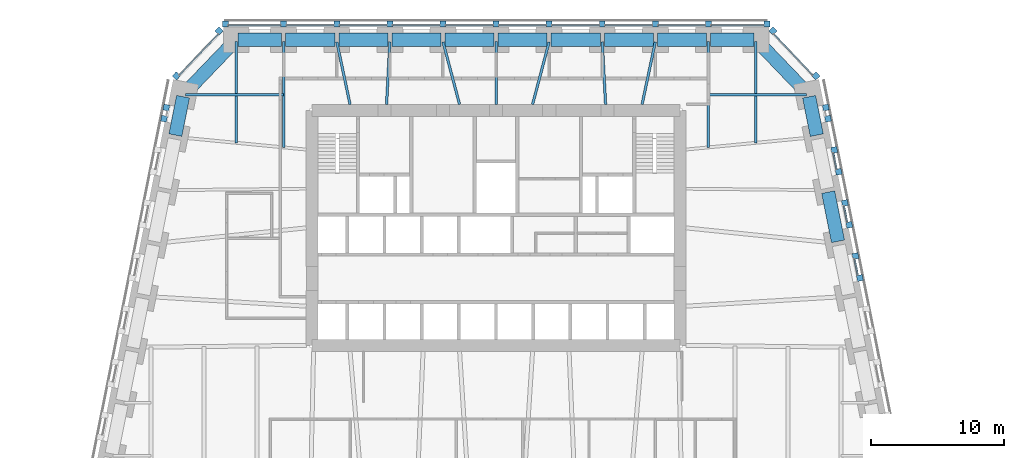
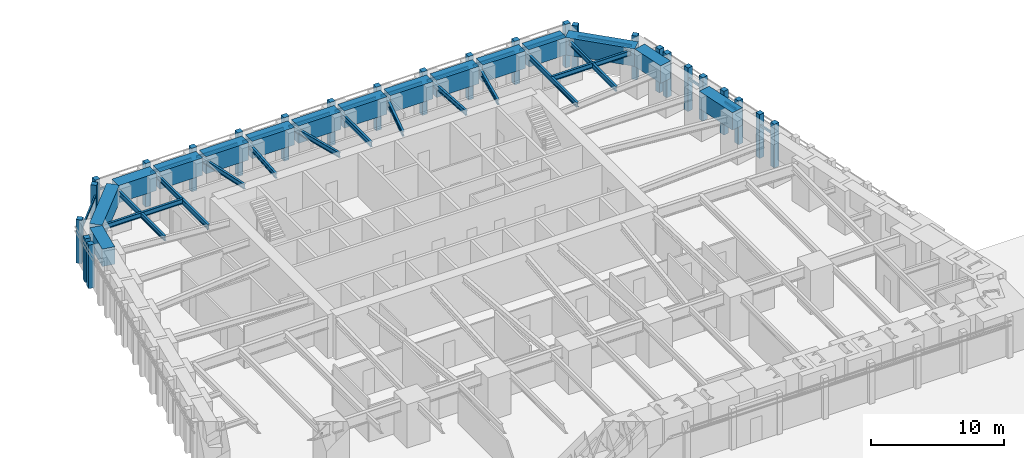
# One storey, part 4 of 18: 40 members, 28 beams, 8 elements without a shape of their own.
"""IFC4 building model written with IfcOpenShell, lengths in metres."""

from ifc_helpers import new_model, si_unit, direction, frame, origin, origin_2d, place, context, subcontext, project, spatial, rectangle, i_section, extrude, material, material_profile, profile_set, type_object, element, aggregate, save


model = new_model("IFC4")

# Units and contexts
model_context = context("Model", 3, precision=1e-05, world=origin(), true_north=direction((0.0, 1.0)))
body_context = subcontext(model_context, "Body", "Model", "MODEL_VIEW")
ifc_project = project(units=[si_unit("LENGTHUNIT", "METRE"), si_unit("AREAUNIT", "SQUARE_METRE"), si_unit("VOLUMEUNIT", "CUBIC_METRE"), si_unit("PLANEANGLEUNIT", "RADIAN"), si_unit("MASSUNIT", "GRAM", prefix="KILO")], contexts=[model_context])

# Site, building, storey
site_placement = place(None, origin())
site = spatial("IfcSite", under=ifc_project, at=site_placement, CompositionType="ELEMENT")
building_placement = place(site_placement, origin())
building = spatial("IfcBuilding", under=site, at=building_placement, Name="Isbrekke Arena Tower", CompositionType="ELEMENT")
storey_placement = place(building_placement, frame((0.0, 0.0, 28.0)))
storey = spatial("IfcBuildingStorey", under=building, at=storey_placement, Name="L04", CompositionType="ELEMENT", Elevation=28.0)

# Beams
ifc_material_1 = material(Name="Steel S355", Category="steel")
ifc_material_profile_1 = material_profile(ifc_material_1, i_section(OverallWidth=0.18994140625, OverallDepth=0.449951171875, WebThickness=0.009521484375, FlangeThickness=0.0146484375, FilletRadius=0.02099609375, at=origin_2d()), Name="IPE 450")
ifc_profile_set_1 = profile_set([ifc_material_profile_1], Name="Steel S355")
beam_type_1 = type_object("IfcBeamType", Name="B2 IPE 450", PredefinedType="BEAM", material=ifc_profile_set_1)
for number, where, z_axis, x_axis, name in (
    (1, (23.40283203125, 25.029296875, 3.625), (-1.0, 0.0, 0.0), (0.0, -1.0, 0.0), "B2 beam E-E11 L04"),
    (2, (-23.40283203125, 25.029296875, 3.625), (1.0, 0.0, 0.0), (0.0, 1.0, 0.0), "B2 beam E-W01 L04"),
):
    element("IfcBeam", number, at=place(storey_placement, frame(where, z_axis=z_axis, x_axis=x_axis)), inside=storey, type_object=beam_type_1, Name=name, PredefinedType="BEAM", context=body_context, shape_type="SweptSolid", body=[
        extrude(i_section(OverallWidth=0.18994140625, OverallDepth=0.449951171875, WebThickness=0.009521484375, FlangeThickness=0.0146484375, FilletRadius=0.02099609375, at=origin_2d()), origin(), (0.0, 0.0, 1.0), 7.40283203125),
    ])
ifc_material_2 = material(Name="Steel S355", Category="steel")
ifc_material_profile_2 = material_profile(ifc_material_2, i_section(OverallWidth=0.18994140625, OverallDepth=0.449951171875, WebThickness=0.009521484375, FlangeThickness=0.0146484375, FilletRadius=0.02099609375, at=origin_2d()), Name="IPE 450")
ifc_profile_set_2 = profile_set([ifc_material_profile_2], Name="Steel S355")
beam_type_2 = type_object("IfcBeamType", Name="B3 IPE 450", PredefinedType="BEAM", material=ifc_profile_set_2)
beam_1_placement = place(storey_placement, frame((19.574951171875, 29.02490234375, 3.625), z_axis=(0.0, -1.0, 0.0), x_axis=(1.0, 0.0, 0.0)))
element("IfcBeam", 3, at=beam_1_placement, inside=storey, type_object=beam_type_2, Name="B3 beam N-N01 L04", PredefinedType="BEAM", context=body_context, shape_type="SweptSolid", body=[
    extrude(i_section(OverallWidth=0.18994140625, OverallDepth=0.449951171875, WebThickness=0.009521484375, FlangeThickness=0.0146484375, FilletRadius=0.02099609375, at=origin_2d()), origin(), (0.0, 0.0, 1.0), 7.616943359375),
])
for number, where, z_axis, x_axis, name in (
    (4, (16.0, 29.02490234375, 3.625), (0.0, -1.0, 0.0), (1.0, 0.0, 0.0), "B3 beam N-N02 L04"),
    (5, (-16.0, 29.02490234375, 3.625), (0.0, -1.0, 0.0), (1.0, 0.0, 0.0), "B3 beam N-N10 L04"),
):
    element("IfcBeam", number, at=place(storey_placement, frame(where, z_axis=z_axis, x_axis=x_axis)), inside=storey, type_object=beam_type_2, Name=name, PredefinedType="BEAM", context=body_context, shape_type="SweptSolid", body=[
        extrude(i_section(OverallWidth=0.18994140625, OverallDepth=0.449951171875, WebThickness=0.009521484375, FlangeThickness=0.0146484375, FilletRadius=0.02099609375, at=origin_2d()), origin(), (0.0, 0.0, 1.0), 7.961181640625),
    ])
beam_2_placement = place(storey_placement, frame((-19.574951171875, 29.02490234375, 3.625), z_axis=(0.0, -1.0, 0.0), x_axis=(1.0, 0.0, 0.0)))
element("IfcBeam", 6, at=beam_2_placement, inside=storey, type_object=beam_type_2, Name="B3 beam N-N11 L04", PredefinedType="BEAM", context=body_context, shape_type="SweptSolid", body=[
    extrude(i_section(OverallWidth=0.18994140625, OverallDepth=0.449951171875, WebThickness=0.009521484375, FlangeThickness=0.0146484375, FilletRadius=0.02099609375, at=origin_2d()), origin(), (0.0, 0.0, 1.0), 7.616943359375),
])
beam_3_placement = place(storey_placement, frame((11.995849609375, 29.005859375, 3.625), z_axis=(-0.207036135686, -0.978333296234, 0.0), x_axis=(0.978333296234, -0.207036135686, 0.0)))
element("IfcBeam", 7, at=beam_3_placement, inside=storey, type_object=beam_type_2, Name="B3 beam N-N03 L04", PredefinedType="BEAM", context=body_context, shape_type="SweptSolid", body=[
    extrude(i_section(OverallWidth=0.18994140625, OverallDepth=0.449951171875, WebThickness=0.009521484375, FlangeThickness=0.0146484375, FilletRadius=0.02099609375, at=origin_2d()), origin(), (0.0, 0.0, 1.0), 4.81005859375),
])
beam_4_placement = place(storey_placement, frame((8.000244140625, 29.02001953125, 3.625), z_axis=(0.05284078094, -0.998602950061, 0.0), x_axis=(0.998602950061, 0.05284078094, 0.0)))
element("IfcBeam", 8, at=beam_4_placement, inside=storey, type_object=beam_type_2, Name="B3 beam N-N04 L04", PredefinedType="BEAM", context=body_context, shape_type="SweptSolid", body=[
    extrude(i_section(OverallWidth=0.18994140625, OverallDepth=0.449951171875, WebThickness=0.009521484375, FlangeThickness=0.0146484375, FilletRadius=0.02099609375, at=origin_2d()), origin(), (0.0, 0.0, 1.0), 4.7265625),
])
beam_5_placement = place(storey_placement, frame((3.993896484375, 29.00146484375, 3.625), z_axis=(-0.255778031922, -0.966735536942, 0.0), x_axis=(0.966735536942, -0.255778031922, 0.0)))
element("IfcBeam", 9, at=beam_5_placement, inside=storey, type_object=beam_type_2, Name="B3 beam N-N05 L04", PredefinedType="BEAM", context=body_context, shape_type="SweptSolid", body=[
    extrude(i_section(OverallWidth=0.18994140625, OverallDepth=0.449951171875, WebThickness=0.009521484375, FlangeThickness=0.0146484375, FilletRadius=0.02099609375, at=origin_2d()), origin(), (0.0, 0.0, 1.0), 4.86328125),
])
beam_6_placement = place(storey_placement, frame((0.0, 29.02490234375, 3.625), z_axis=(0.0, -1.0, 0.0), x_axis=(1.0, 0.0, 0.0)))
element("IfcBeam", 10, at=beam_6_placement, inside=storey, type_object=beam_type_2, Name="B3 beam N-N06 L04", PredefinedType="BEAM", context=body_context, shape_type="SweptSolid", body=[
    extrude(i_section(OverallWidth=0.18994140625, OverallDepth=0.449951171875, WebThickness=0.009521484375, FlangeThickness=0.0146484375, FilletRadius=0.02099609375, at=origin_2d()), origin(), (0.0, 0.0, 1.0), 4.724853515625),
])
beam_7_placement = place(storey_placement, frame((-3.993896484375, 29.00146484375, 3.625), z_axis=(0.255778031922, -0.966735536942, 0.0), x_axis=(0.966735536942, 0.255778031922, 0.0)))
element("IfcBeam", 11, at=beam_7_placement, inside=storey, type_object=beam_type_2, Name="B3 beam N-N07 L04", PredefinedType="BEAM", context=body_context, shape_type="SweptSolid", body=[
    extrude(i_section(OverallWidth=0.18994140625, OverallDepth=0.449951171875, WebThickness=0.009521484375, FlangeThickness=0.0146484375, FilletRadius=0.02099609375, at=origin_2d()), origin(), (0.0, 0.0, 1.0), 4.86328125),
])
beam_8_placement = place(storey_placement, frame((-8.000244140625, 29.02001953125, 3.625), z_axis=(-0.05284078094, -0.998602950061, 0.0), x_axis=(0.998602950061, -0.05284078094, 0.0)))
element("IfcBeam", 12, at=beam_8_placement, inside=storey, type_object=beam_type_2, Name="B3 beam N-N08 L04", PredefinedType="BEAM", context=body_context, shape_type="SweptSolid", body=[
    extrude(i_section(OverallWidth=0.18994140625, OverallDepth=0.449951171875, WebThickness=0.009521484375, FlangeThickness=0.0146484375, FilletRadius=0.02099609375, at=origin_2d()), origin(), (0.0, 0.0, 1.0), 4.7265625),
])
beam_9_placement = place(storey_placement, frame((-11.995849609375, 29.005859375, 3.625), z_axis=(0.207036135686, -0.978333296234, 0.0), x_axis=(0.978333296234, 0.207036135686, 0.0)))
element("IfcBeam", 13, at=beam_9_placement, inside=storey, type_object=beam_type_2, Name="B3 beam N-N09 L04", PredefinedType="BEAM", context=body_context, shape_type="SweptSolid", body=[
    extrude(i_section(OverallWidth=0.18994140625, OverallDepth=0.449951171875, WebThickness=0.009521484375, FlangeThickness=0.0146484375, FilletRadius=0.02099609375, at=origin_2d()), origin(), (0.0, 0.0, 1.0), 4.81005859375),
])

# Curtain wall, members
ifc_material_3 = material(Name="Glazed aluminium curtain wall", Category="aluminium")
curtain_wall_type = type_object("IfcCurtainWallType", Name="CWL TOWER CURTAIN WALL LOW ZONE", PredefinedType="USERDEFINED", material=ifc_material_3)
curtain_wall_1_placement = place(storey_placement, origin())
curtain_wall_1 = element("IfcCurtainWall", 14, at=curtain_wall_1_placement, inside=storey, type_object=curtain_wall_type, Name="CWL curtain wall L04-E29", ObjectType="TOWER CURTAIN WALL LOW ZONE", PredefinedType="USERDEFINED")
ifc_material_4 = material(Name="Aluminium mullion, pale brick slip cladding", Category="masonry")
ifc_material_profile_3 = material_profile(ifc_material_4, rectangle(XDim=0.449951171875, YDim=0.449951171875, at=origin_2d()), Name="PIER 450X450")
ifc_profile_set_3 = profile_set([ifc_material_profile_3], Name="Aluminium mullion, pale brick slip cladding")
member_type_1 = type_object("IfcMemberType", Name="CWL-M PIER MULLION 450 x 450", PredefinedType="MULLION", material=ifc_profile_set_3)
member_1_placement = place(storey_placement, frame((27.409912109375, 11.225830078125, 0.0), z_axis=(0.0, 0.0, 1.0), x_axis=(-0.196116135138, 0.980580675691, 0.0)))
member_1 = element("IfcMember", 15, at=member_1_placement, type_object=member_type_1, Name="CWL-M mullion 1", PredefinedType="MULLION", context=body_context, shape_type="SweptSolid", body=[
    extrude(rectangle(XDim=0.449951171875, YDim=0.449951171875, at=origin_2d()), origin(), (0.0, 0.0, 1.0), 4.0),
])
member_2_placement = place(storey_placement, frame((27.08056640625, 12.872314453125, 0.0), z_axis=(0.0, 0.0, 1.0), x_axis=(-0.196116135138, 0.980580675691, 0.0)))
member_2 = element("IfcMember", 16, at=member_2_placement, type_object=member_type_1, Name="CWL-M mullion 2", PredefinedType="MULLION", context=body_context, shape_type="SweptSolid", body=[
    extrude(rectangle(XDim=0.449951171875, YDim=0.449951171875, at=origin_2d()), origin(), (0.0, 0.0, 1.0), 4.0),
])

curtain_wall_2_placement = place(storey_placement, origin())
curtain_wall_2 = element("IfcCurtainWall", 17, at=curtain_wall_2_placement, inside=storey, type_object=curtain_wall_type, Name="CWL curtain wall L04-E211", ObjectType="TOWER CURTAIN WALL LOW ZONE", PredefinedType="USERDEFINED")
member_3_placement = place(storey_placement, frame((26.60986328125, 15.225830078125, 0.0), z_axis=(0.0, 0.0, 1.0), x_axis=(-0.196116135138, 0.980580675691, 0.0)))
member_3 = element("IfcMember", 18, at=member_3_placement, type_object=member_type_1, Name="CWL-M mullion 1", PredefinedType="MULLION", context=body_context, shape_type="SweptSolid", body=[
    extrude(rectangle(XDim=0.449951171875, YDim=0.449951171875, at=origin_2d()), origin(), (0.0, 0.0, 1.0), 4.0),
])
member_4_placement = place(storey_placement, frame((26.280517578125, 16.872314453125, 0.0), z_axis=(0.0, 0.0, 1.0), x_axis=(-0.196116135138, 0.980580675691, 0.0)))
member_4 = element("IfcMember", 19, at=member_4_placement, type_object=member_type_1, Name="CWL-M mullion 2", PredefinedType="MULLION", context=body_context, shape_type="SweptSolid", body=[
    extrude(rectangle(XDim=0.449951171875, YDim=0.449951171875, at=origin_2d()), origin(), (0.0, 0.0, 1.0), 4.0),
])

curtain_wall_3_placement = place(storey_placement, origin())
curtain_wall_3 = element("IfcCurtainWall", 20, at=curtain_wall_3_placement, inside=storey, type_object=curtain_wall_type, Name="CWL curtain wall L04-E213", ObjectType="TOWER CURTAIN WALL LOW ZONE", PredefinedType="USERDEFINED")
member_5_placement = place(storey_placement, frame((25.809814453125, 19.225830078125, 0.0), z_axis=(0.0, 0.0, 1.0), x_axis=(-0.196116135138, 0.980580675691, 0.0)))
member_5 = element("IfcMember", 21, at=member_5_placement, type_object=member_type_1, Name="CWL-M mullion 1", PredefinedType="MULLION", context=body_context, shape_type="SweptSolid", body=[
    extrude(rectangle(XDim=0.449951171875, YDim=0.449951171875, at=origin_2d()), origin(), (0.0, 0.0, 1.0), 4.0),
])
member_6_placement = place(storey_placement, frame((25.48046875, 20.872314453125, 0.0), z_axis=(0.0, 0.0, 1.0), x_axis=(-0.196116135138, 0.980580675691, 0.0)))
member_6 = element("IfcMember", 22, at=member_6_placement, type_object=member_type_1, Name="CWL-M mullion 2", PredefinedType="MULLION", context=body_context, shape_type="SweptSolid", body=[
    extrude(rectangle(XDim=0.449951171875, YDim=0.449951171875, at=origin_2d()), origin(), (0.0, 0.0, 1.0), 4.0),
])

curtain_wall_4_placement = place(storey_placement, origin())
curtain_wall_4 = element("IfcCurtainWall", 23, at=curtain_wall_4_placement, inside=storey, type_object=curtain_wall_type, Name="CWL curtain wall L04-E215", ObjectType="TOWER CURTAIN WALL LOW ZONE", PredefinedType="USERDEFINED")
member_7_placement = place(storey_placement, frame((25.009765625, 23.225830078125, 0.0), z_axis=(0.0, 0.0, 1.0), x_axis=(-0.196116135138, 0.980580675691, 0.0)))
member_7 = element("IfcMember", 24, at=member_7_placement, type_object=member_type_1, Name="CWL-M mullion 1", PredefinedType="MULLION", context=body_context, shape_type="SweptSolid", body=[
    extrude(rectangle(XDim=0.449951171875, YDim=0.449951171875, at=origin_2d()), origin(), (0.0, 0.0, 1.0), 4.0),
])
member_8_placement = place(storey_placement, frame((24.841796875, 24.065185546875, 0.0), z_axis=(0.0, 0.0, 1.0), x_axis=(-0.196116135138, 0.980580675691, 0.0)))
member_8 = element("IfcMember", 25, at=member_8_placement, type_object=member_type_1, Name="CWL-M mullion 2", PredefinedType="MULLION", context=body_context, shape_type="SweptSolid", body=[
    extrude(rectangle(XDim=0.449951171875, YDim=0.449951171875, at=origin_2d()), origin(), (0.0, 0.0, 1.0), 4.0),
])
aggregate(curtain_wall_4, [member_7, member_8])

curtain_wall_5_placement = place(storey_placement, origin())
curtain_wall_5 = element("IfcCurtainWall", 26, at=curtain_wall_5_placement, inside=storey, type_object=curtain_wall_type, Name="CWL curtain wall L04-EN", ObjectType="TOWER CURTAIN WALL LOW ZONE", PredefinedType="USERDEFINED")
member_9_placement = place(storey_placement, frame((24.08837890625, 26.444091796875, 0.0), z_axis=(0.0, 0.0, 1.0), x_axis=(-0.68874946192, 0.72499943359, 0.0)))
member_9 = element("IfcMember", 27, at=member_9_placement, type_object=member_type_1, Name="CWL-M mullion 1", PredefinedType="MULLION", context=body_context, shape_type="SweptSolid", body=[
    extrude(rectangle(XDim=0.449951171875, YDim=0.449951171875, at=origin_2d()), origin(), (0.0, 0.0, 1.0), 4.0),
])
member_10_placement = place(storey_placement, frame((20.86572265625, 29.83642578125, 0.0), z_axis=(0.0, 0.0, 1.0), x_axis=(-0.68874946192, 0.72499943359, 0.0)))
member_10 = element("IfcMember", 28, at=member_10_placement, type_object=member_type_1, Name="CWL-M mullion 2", PredefinedType="MULLION", context=body_context, shape_type="SweptSolid", body=[
    extrude(rectangle(XDim=0.449951171875, YDim=0.449951171875, at=origin_2d()), origin(), (0.0, 0.0, 1.0), 4.0),
])

curtain_wall_6_placement = place(storey_placement, origin())
curtain_wall_6 = element("IfcCurtainWall", 29, at=curtain_wall_6_placement, inside=storey, type_object=curtain_wall_type, Name="CWL curtain wall L04-N", ObjectType="TOWER CURTAIN WALL LOW ZONE", PredefinedType="USERDEFINED")
member_11_placement = place(storey_placement, frame((20.39990234375, 30.375, 0.0), z_axis=(0.0, 0.0, 1.0), x_axis=(-1.0, 0.0, 0.0)))
member_11 = element("IfcMember", 30, at=member_11_placement, type_object=member_type_1, Name="CWL-M mullion 1", PredefinedType="MULLION", context=body_context, shape_type="SweptSolid", body=[
    extrude(rectangle(XDim=0.449951171875, YDim=0.449951171875, at=origin_2d()), origin(), (0.0, 0.0, 1.0), 4.0),
])
member_12_placement = place(storey_placement, frame((16.0, 30.375, 0.0), z_axis=(0.0, 0.0, 1.0), x_axis=(-1.0, 0.0, 0.0)))
member_12 = element("IfcMember", 31, at=member_12_placement, type_object=member_type_1, Name="CWL-M mullion 2", PredefinedType="MULLION", context=body_context, shape_type="SweptSolid", body=[
    extrude(rectangle(XDim=0.449951171875, YDim=0.449951171875, at=origin_2d()), origin(), (0.0, 0.0, 1.0), 4.0),
])
member_13_placement = place(storey_placement, frame((12.0, 30.375, 0.0), z_axis=(0.0, 0.0, 1.0), x_axis=(-1.0, 0.0, 0.0)))
member_13 = element("IfcMember", 32, at=member_13_placement, type_object=member_type_1, Name="CWL-M mullion 3", PredefinedType="MULLION", context=body_context, shape_type="SweptSolid", body=[
    extrude(rectangle(XDim=0.449951171875, YDim=0.449951171875, at=origin_2d()), origin(), (0.0, 0.0, 1.0), 4.0),
])
member_14_placement = place(storey_placement, frame((8.0, 30.375, 0.0), z_axis=(0.0, 0.0, 1.0), x_axis=(-1.0, 0.0, 0.0)))
member_14 = element("IfcMember", 33, at=member_14_placement, type_object=member_type_1, Name="CWL-M mullion 4", PredefinedType="MULLION", context=body_context, shape_type="SweptSolid", body=[
    extrude(rectangle(XDim=0.449951171875, YDim=0.449951171875, at=origin_2d()), origin(), (0.0, 0.0, 1.0), 4.0),
])
member_15_placement = place(storey_placement, frame((4.0, 30.375, 0.0), z_axis=(0.0, 0.0, 1.0), x_axis=(-1.0, 0.0, 0.0)))
member_15 = element("IfcMember", 34, at=member_15_placement, type_object=member_type_1, Name="CWL-M mullion 5", PredefinedType="MULLION", context=body_context, shape_type="SweptSolid", body=[
    extrude(rectangle(XDim=0.449951171875, YDim=0.449951171875, at=origin_2d()), origin(), (0.0, 0.0, 1.0), 4.0),
])
member_16_placement = place(storey_placement, frame((0.0, 30.375, 0.0), z_axis=(0.0, 0.0, 1.0), x_axis=(-1.0, 0.0, 0.0)))
member_16 = element("IfcMember", 35, at=member_16_placement, type_object=member_type_1, Name="CWL-M mullion 6", PredefinedType="MULLION", context=body_context, shape_type="SweptSolid", body=[
    extrude(rectangle(XDim=0.449951171875, YDim=0.449951171875, at=origin_2d()), origin(), (0.0, 0.0, 1.0), 4.0),
])
member_17_placement = place(storey_placement, frame((-4.0, 30.375, 0.0), z_axis=(0.0, 0.0, 1.0), x_axis=(-1.0, 0.0, 0.0)))
member_17 = element("IfcMember", 36, at=member_17_placement, type_object=member_type_1, Name="CWL-M mullion 7", PredefinedType="MULLION", context=body_context, shape_type="SweptSolid", body=[
    extrude(rectangle(XDim=0.449951171875, YDim=0.449951171875, at=origin_2d()), origin(), (0.0, 0.0, 1.0), 4.0),
])
member_18_placement = place(storey_placement, frame((-8.0, 30.375, 0.0), z_axis=(0.0, 0.0, 1.0), x_axis=(-1.0, 0.0, 0.0)))
member_18 = element("IfcMember", 37, at=member_18_placement, type_object=member_type_1, Name="CWL-M mullion 8", PredefinedType="MULLION", context=body_context, shape_type="SweptSolid", body=[
    extrude(rectangle(XDim=0.449951171875, YDim=0.449951171875, at=origin_2d()), origin(), (0.0, 0.0, 1.0), 4.0),
])
member_19_placement = place(storey_placement, frame((-12.0, 30.375, 0.0), z_axis=(0.0, 0.0, 1.0), x_axis=(-1.0, 0.0, 0.0)))
member_19 = element("IfcMember", 38, at=member_19_placement, type_object=member_type_1, Name="CWL-M mullion 9", PredefinedType="MULLION", context=body_context, shape_type="SweptSolid", body=[
    extrude(rectangle(XDim=0.449951171875, YDim=0.449951171875, at=origin_2d()), origin(), (0.0, 0.0, 1.0), 4.0),
])
member_20_placement = place(storey_placement, frame((-16.0, 30.375, 0.0), z_axis=(0.0, 0.0, 1.0), x_axis=(-1.0, 0.0, 0.0)))
member_20 = element("IfcMember", 39, at=member_20_placement, type_object=member_type_1, Name="CWL-M mullion 10", PredefinedType="MULLION", context=body_context, shape_type="SweptSolid", body=[
    extrude(rectangle(XDim=0.449951171875, YDim=0.449951171875, at=origin_2d()), origin(), (0.0, 0.0, 1.0), 4.0),
])
member_21_placement = place(storey_placement, frame((-20.39990234375, 30.375, 0.0), z_axis=(0.0, 0.0, 1.0), x_axis=(-1.0, 0.0, 0.0)))
member_21 = element("IfcMember", 40, at=member_21_placement, type_object=member_type_1, Name="CWL-M mullion 11", PredefinedType="MULLION", context=body_context, shape_type="SweptSolid", body=[
    extrude(rectangle(XDim=0.449951171875, YDim=0.449951171875, at=origin_2d()), origin(), (0.0, 0.0, 1.0), 4.0),
])

curtain_wall_7_placement = place(storey_placement, origin())
curtain_wall_7 = element("IfcCurtainWall", 41, at=curtain_wall_7_placement, inside=storey, type_object=curtain_wall_type, Name="CWL curtain wall L04-NW", ObjectType="TOWER CURTAIN WALL LOW ZONE", PredefinedType="USERDEFINED")
member_22_placement = place(storey_placement, frame((-20.86572265625, 29.83642578125, 0.0), z_axis=(0.0, 0.0, 1.0), x_axis=(-0.68874946192, -0.72499943359, 0.0)))
member_22 = element("IfcMember", 42, at=member_22_placement, type_object=member_type_1, Name="CWL-M mullion 1", PredefinedType="MULLION", context=body_context, shape_type="SweptSolid", body=[
    extrude(rectangle(XDim=0.449951171875, YDim=0.449951171875, at=origin_2d()), origin(), (0.0, 0.0, 1.0), 4.0),
])
member_23_placement = place(storey_placement, frame((-24.087890625, 26.44482421875, 0.0), z_axis=(0.0, 0.0, 1.0), x_axis=(-0.68874946192, -0.72499943359, 0.0)))
member_23 = element("IfcMember", 43, at=member_23_placement, type_object=member_type_1, Name="CWL-M mullion 2", PredefinedType="MULLION", context=body_context, shape_type="SweptSolid", body=[
    extrude(rectangle(XDim=0.449951171875, YDim=0.449951171875, at=origin_2d()), origin(), (0.0, 0.0, 1.0), 4.0),
])

curtain_wall_8_placement = place(storey_placement, origin())
curtain_wall_8 = element("IfcCurtainWall", 44, at=curtain_wall_8_placement, inside=storey, type_object=curtain_wall_type, Name="CWL curtain wall L04-W", ObjectType="TOWER CURTAIN WALL LOW ZONE", PredefinedType="USERDEFINED")
member_24_placement = place(storey_placement, frame((-24.841796875, 24.065185546875, 0.0), z_axis=(0.0, 0.0, 1.0), x_axis=(-0.196116135138, -0.980580675691, 0.0)))
member_24 = element("IfcMember", 45, at=member_24_placement, type_object=member_type_1, Name="CWL-M mullion 1", PredefinedType="MULLION", context=body_context, shape_type="SweptSolid", body=[
    extrude(rectangle(XDim=0.449951171875, YDim=0.449951171875, at=origin_2d()), origin(), (0.0, 0.0, 1.0), 4.0),
])
member_25_placement = place(storey_placement, frame((-25.009765625, 23.225830078125, 0.0), z_axis=(0.0, 0.0, 1.0), x_axis=(-0.196116135138, -0.980580675691, 0.0)))
member_25 = element("IfcMember", 46, at=member_25_placement, type_object=member_type_1, Name="CWL-M mullion 2", PredefinedType="MULLION", context=body_context, shape_type="SweptSolid", body=[
    extrude(rectangle(XDim=0.449951171875, YDim=0.449951171875, at=origin_2d()), origin(), (0.0, 0.0, 1.0), 4.0),
])
aggregate(curtain_wall_8, [member_24, member_25])

# Member
ifc_material_5 = material(Name="Aluminium transom", Category="aluminium")
ifc_material_profile_4 = material_profile(ifc_material_5, rectangle(XDim=0.1201171875, YDim=0.199951171875, at=origin_2d()), Name="TRANSOM 120X200")
ifc_profile_set_4 = profile_set([ifc_material_profile_4], Name="Aluminium transom")
member_type_2 = type_object("IfcMemberType", Name="CWL-T TRANSOM 120 x 200", PredefinedType="USERDEFINED", material=ifc_profile_set_4)
member_26_placement = place(storey_placement, frame((27.2431640625, 11.421875, 3.0), z_axis=(-0.19623071885, 0.980557751986, 0.0), x_axis=(-0.980557751986, -0.19623071885, 0.0)))
member_26 = element("IfcMember", 47, at=member_26_placement, type_object=member_type_2, Name="CWL-T transom 1", ObjectType="TRANSOM", PredefinedType="USERDEFINED", context=body_context, shape_type="SweptSolid", body=[
    extrude(rectangle(XDim=0.1201171875, YDim=0.199951171875, at=origin_2d()), origin(), (0.0, 0.0, 1.0), 1.229248046875),
])

aggregate(curtain_wall_1, [member_1, member_2, member_26])

member_27_placement = place(storey_placement, frame((26.443115234375, 15.421875, 3.0), z_axis=(-0.196039741533, 0.980595951317, 0.0), x_axis=(-0.980595951317, -0.196039741533, 0.0)))
member_27 = element("IfcMember", 48, at=member_27_placement, type_object=member_type_2, Name="CWL-T transom 1", ObjectType="TRANSOM", PredefinedType="USERDEFINED", context=body_context, shape_type="SweptSolid", body=[
    extrude(rectangle(XDim=0.1201171875, YDim=0.199951171875, at=origin_2d()), origin(), (0.0, 0.0, 1.0), 1.229248046875),
])

aggregate(curtain_wall_2, [member_3, member_4, member_27])

member_28_placement = place(storey_placement, frame((25.64306640625, 19.421875, 3.0), z_axis=(-0.196039741533, 0.980595951317, 0.0), x_axis=(-0.980595951317, -0.196039741533, 0.0)))
member_28 = element("IfcMember", 49, at=member_28_placement, type_object=member_type_2, Name="CWL-T transom 1", ObjectType="TRANSOM", PredefinedType="USERDEFINED", context=body_context, shape_type="SweptSolid", body=[
    extrude(rectangle(XDim=0.1201171875, YDim=0.199951171875, at=origin_2d()), origin(), (0.0, 0.0, 1.0), 1.229248046875),
])

aggregate(curtain_wall_3, [member_5, member_6, member_28])

member_29_placement = place(storey_placement, frame((23.8427734375, 26.521240234375, 3.0), z_axis=(-0.688776771287, 0.724973488712, 0.0), x_axis=(-0.724973488712, -0.688776771287, 0.0)))
member_29 = element("IfcMember", 50, at=member_29_placement, type_object=member_type_2, Name="CWL-T transom 1", ObjectType="TRANSOM", PredefinedType="USERDEFINED", context=body_context, shape_type="SweptSolid", body=[
    extrude(rectangle(XDim=0.1201171875, YDim=0.199951171875, at=origin_2d()), origin(), (0.0, 0.0, 1.0), 4.22900390625),
])

aggregate(curtain_wall_5, [member_9, member_10, member_29])

member_30_placement = place(storey_placement, frame((20.175048828125, 30.25, 3.0), z_axis=(-1.0, 0.0, 0.0), x_axis=(0.0, -1.0, 0.0)))
member_30 = element("IfcMember", 51, at=member_30_placement, type_object=member_type_2, Name="CWL-T transom 1", ObjectType="TRANSOM", PredefinedType="USERDEFINED", context=body_context, shape_type="SweptSolid", body=[
    extrude(rectangle(XDim=0.1201171875, YDim=0.199951171875, at=origin_2d()), origin(), (0.0, 0.0, 1.0), 3.949951171875),
])

member_31_placement = place(storey_placement, frame((15.77490234375, 30.25, 3.0), z_axis=(-1.0, 0.0, 0.0), x_axis=(0.0, -1.0, 0.0)))
member_31 = element("IfcMember", 52, at=member_31_placement, type_object=member_type_2, Name="CWL-T transom 2", ObjectType="TRANSOM", PredefinedType="USERDEFINED", context=body_context, shape_type="SweptSolid", body=[
    extrude(rectangle(XDim=0.1201171875, YDim=0.199951171875, at=origin_2d()), origin(), (0.0, 0.0, 1.0), 3.5498046875),
])

member_32_placement = place(storey_placement, frame((11.77490234375, 30.25, 3.0), z_axis=(-1.0, 0.0, 0.0), x_axis=(0.0, -1.0, 0.0)))
member_32 = element("IfcMember", 53, at=member_32_placement, type_object=member_type_2, Name="CWL-T transom 3", ObjectType="TRANSOM", PredefinedType="USERDEFINED", context=body_context, shape_type="SweptSolid", body=[
    extrude(rectangle(XDim=0.1201171875, YDim=0.199951171875, at=origin_2d()), origin(), (0.0, 0.0, 1.0), 3.5498046875),
])

member_33_placement = place(storey_placement, frame((7.77490234375, 30.25, 3.0), z_axis=(-1.0, 0.0, 0.0), x_axis=(0.0, -1.0, 0.0)))
member_33 = element("IfcMember", 54, at=member_33_placement, type_object=member_type_2, Name="CWL-T transom 4", ObjectType="TRANSOM", PredefinedType="USERDEFINED", context=body_context, shape_type="SweptSolid", body=[
    extrude(rectangle(XDim=0.1201171875, YDim=0.199951171875, at=origin_2d()), origin(), (0.0, 0.0, 1.0), 3.5498046875),
])

member_34_placement = place(storey_placement, frame((3.77490234375, 30.25, 3.0), z_axis=(-1.0, 0.0, 0.0), x_axis=(0.0, -1.0, 0.0)))
member_34 = element("IfcMember", 55, at=member_34_placement, type_object=member_type_2, Name="CWL-T transom 5", ObjectType="TRANSOM", PredefinedType="USERDEFINED", context=body_context, shape_type="SweptSolid", body=[
    extrude(rectangle(XDim=0.1201171875, YDim=0.199951171875, at=origin_2d()), origin(), (0.0, 0.0, 1.0), 3.5498046875),
])

member_35_placement = place(storey_placement, frame((-0.22509765625, 30.25, 3.0), z_axis=(-1.0, 0.0, 0.0), x_axis=(0.0, -1.0, 0.0)))
member_35 = element("IfcMember", 56, at=member_35_placement, type_object=member_type_2, Name="CWL-T transom 6", ObjectType="TRANSOM", PredefinedType="USERDEFINED", context=body_context, shape_type="SweptSolid", body=[
    extrude(rectangle(XDim=0.1201171875, YDim=0.199951171875, at=origin_2d()), origin(), (0.0, 0.0, 1.0), 3.5498046875),
])

member_36_placement = place(storey_placement, frame((-4.22509765625, 30.25, 3.0), z_axis=(-1.0, 0.0, 0.0), x_axis=(0.0, -1.0, 0.0)))
member_36 = element("IfcMember", 57, at=member_36_placement, type_object=member_type_2, Name="CWL-T transom 7", ObjectType="TRANSOM", PredefinedType="USERDEFINED", context=body_context, shape_type="SweptSolid", body=[
    extrude(rectangle(XDim=0.1201171875, YDim=0.199951171875, at=origin_2d()), origin(), (0.0, 0.0, 1.0), 3.5498046875),
])

member_37_placement = place(storey_placement, frame((-8.22509765625, 30.25, 3.0), z_axis=(-1.0, 0.0, 0.0), x_axis=(0.0, -1.0, 0.0)))
member_37 = element("IfcMember", 58, at=member_37_placement, type_object=member_type_2, Name="CWL-T transom 8", ObjectType="TRANSOM", PredefinedType="USERDEFINED", context=body_context, shape_type="SweptSolid", body=[
    extrude(rectangle(XDim=0.1201171875, YDim=0.199951171875, at=origin_2d()), origin(), (0.0, 0.0, 1.0), 3.5498046875),
])

member_38_placement = place(storey_placement, frame((-12.22509765625, 30.25, 3.0), z_axis=(-1.0, 0.0, 0.0), x_axis=(0.0, -1.0, 0.0)))
member_38 = element("IfcMember", 59, at=member_38_placement, type_object=member_type_2, Name="CWL-T transom 9", ObjectType="TRANSOM", PredefinedType="USERDEFINED", context=body_context, shape_type="SweptSolid", body=[
    extrude(rectangle(XDim=0.1201171875, YDim=0.199951171875, at=origin_2d()), origin(), (0.0, 0.0, 1.0), 3.5498046875),
])

member_39_placement = place(storey_placement, frame((-16.22509765625, 30.25, 3.0), z_axis=(-1.0, 0.0, 0.0), x_axis=(0.0, -1.0, 0.0)))
member_39 = element("IfcMember", 60, at=member_39_placement, type_object=member_type_2, Name="CWL-T transom 10", ObjectType="TRANSOM", PredefinedType="USERDEFINED", context=body_context, shape_type="SweptSolid", body=[
    extrude(rectangle(XDim=0.1201171875, YDim=0.199951171875, at=origin_2d()), origin(), (0.0, 0.0, 1.0), 3.949951171875),
])

aggregate(curtain_wall_6, [member_11, member_12, member_13, member_14, member_15, member_16, member_17, member_18, member_19, member_20, member_21, member_30, member_31, member_32, member_33, member_34, member_35, member_36, member_37, member_38, member_39])

member_40_placement = place(storey_placement, frame((-20.93017578125, 29.587158203125, 3.0), z_axis=(-0.6887433918, -0.725005200155, 0.0), x_axis=(0.725005200155, -0.6887433918, 0.0)))
member_40 = element("IfcMember", 61, at=member_40_placement, type_object=member_type_2, Name="CWL-T transom 1", ObjectType="TRANSOM", PredefinedType="USERDEFINED", context=body_context, shape_type="SweptSolid", body=[
    extrude(rectangle(XDim=0.1201171875, YDim=0.199951171875, at=origin_2d()), origin(), (0.0, 0.0, 1.0), 4.22802734375),
])

aggregate(curtain_wall_7, [member_22, member_23, member_40])

# Beams
ifc_material_6 = material(Name="Concrete B90 (C90/105)", Category="concrete")
ifc_material_profile_5 = material_profile(ifc_material_6, rectangle(XDim=1.0, YDim=1.60009765625, at=origin_2d()), Name="RC 1000x1600")
ifc_profile_set_5 = profile_set([ifc_material_profile_5], Name="Concrete B90 (C90/105)")
beam_type_3 = type_object("IfcBeamType", Name="SB1 RC 1000 x 1600", PredefinedType="SPANDREL", material=ifc_profile_set_5)
beam_10_placement = place(storey_placement, frame((25.76171875, 13.9853515625, 3.199951171875), z_axis=(-0.196128558387, 0.980578190959, 0.0), x_axis=(-0.980578190959, -0.196128558387, 0.0)))
element("IfcBeam", 62, at=beam_10_placement, inside=storey, type_object=beam_type_3, Name="SB1 spandrel E08-E09 L04", PredefinedType="SPANDREL", context=body_context, shape_type="SweptSolid", body=[
    extrude(rectangle(XDim=1.0, YDim=1.60009765625, at=origin_2d()), origin(), (0.0, 0.0, 1.0), 3.779296875),
])
beam_11_placement = place(storey_placement, frame((24.16162109375, 21.9853515625, 3.199951171875), z_axis=(-0.196116135138, 0.980580675691, 0.0), x_axis=(-0.980580675691, -0.196116135138, 0.0)))
element("IfcBeam", 63, at=beam_11_placement, inside=storey, type_object=beam_type_3, Name="SB1 spandrel E10-E11 L04", PredefinedType="SPANDREL", context=body_context, shape_type="SweptSolid", body=[
    extrude(rectangle(XDim=1.0, YDim=1.60009765625, at=origin_2d()), origin(), (0.0, 0.0, 1.0), 2.9541015625),
])
beam_12_placement = place(storey_placement, frame((23.448974609375, 25.137451171875, 3.199951171875), z_axis=(-0.692339547635, 0.721571861134, 0.0), x_axis=(-0.721571861134, -0.692339547635, 0.0)))
element("IfcBeam", 64, at=beam_12_placement, inside=storey, type_object=beam_type_3, Name="SB1 spandrel E11-N01 L04", PredefinedType="SPANDREL", context=body_context, shape_type="SweptSolid", body=[
    extrude(rectangle(XDim=1.0, YDim=1.60009765625, at=origin_2d()), origin(), (0.0, 0.0, 1.0), 5.4453125),
])
beam_13_placement = place(storey_placement, frame((19.425048828125, 29.175048828125, 3.199951171875), z_axis=(-1.0, 0.0, 0.0), x_axis=(0.0, -1.0, 0.0)))
element("IfcBeam", 65, at=beam_13_placement, inside=storey, type_object=beam_type_3, Name="SB1 spandrel N01-N02 L04", PredefinedType="SPANDREL", context=body_context, shape_type="SweptSolid", body=[
    extrude(rectangle(XDim=1.0, YDim=1.60009765625, at=origin_2d()), origin(), (0.0, 0.0, 1.0), 3.275146484375),
])
for number, where, z_axis, x_axis, name in (
    (66, (15.85009765625, 29.175048828125, 3.199951171875), (-1.0, 0.0, 0.0), (0.0, -1.0, 0.0), "SB1 spandrel N02-N03 L04"),
    (67, (11.85009765625, 29.175048828125, 3.199951171875), (-1.0, 0.0, 0.0), (0.0, -1.0, 0.0), "SB1 spandrel N03-N04 L04"),
    (68, (7.85009765625, 29.175048828125, 3.199951171875), (-1.0, 0.0, 0.0), (0.0, -1.0, 0.0), "SB1 spandrel N04-N05 L04"),
    (69, (3.85009765625, 29.175048828125, 3.199951171875), (-1.0, 0.0, 0.0), (0.0, -1.0, 0.0), "SB1 spandrel N05-N06 L04"),
    (70, (-0.14990234375, 29.175048828125, 3.199951171875), (-1.0, 0.0, 0.0), (0.0, -1.0, 0.0), "SB1 spandrel N06-N07 L04"),
    (71, (-4.14990234375, 29.175048828125, 3.199951171875), (-1.0, 0.0, 0.0), (0.0, -1.0, 0.0), "SB1 spandrel N07-N08 L04"),
    (72, (-8.14990234375, 29.175048828125, 3.199951171875), (-1.0, 0.0, 0.0), (0.0, -1.0, 0.0), "SB1 spandrel N08-N09 L04"),
    (73, (-12.14990234375, 29.175048828125, 3.199951171875), (-1.0, 0.0, 0.0), (0.0, -1.0, 0.0), "SB1 spandrel N09-N10 L04"),
):
    element("IfcBeam", number, at=place(storey_placement, frame(where, z_axis=z_axis, x_axis=x_axis)), inside=storey, type_object=beam_type_3, Name=name, PredefinedType="SPANDREL", context=body_context, shape_type="SweptSolid", body=[
        extrude(rectangle(XDim=1.0, YDim=1.60009765625, at=origin_2d()), origin(), (0.0, 0.0, 1.0), 3.7001953125),
    ])
beam_14_placement = place(storey_placement, frame((-16.14990234375, 29.175048828125, 3.199951171875), z_axis=(-1.0, 0.0, 0.0), x_axis=(0.0, -1.0, 0.0)))
element("IfcBeam", 74, at=beam_14_placement, inside=storey, type_object=beam_type_3, Name="SB1 spandrel N10-N11 L04", PredefinedType="SPANDREL", context=body_context, shape_type="SweptSolid", body=[
    extrude(rectangle(XDim=1.0, YDim=1.60009765625, at=origin_2d()), origin(), (0.0, 0.0, 1.0), 3.275146484375),
])
beam_15_placement = place(storey_placement, frame((-19.678955078125, 29.066650390625, 3.199951171875), z_axis=(-0.692339547635, -0.721571861134, 0.0), x_axis=(0.721571861134, -0.692339547635, 0.0)))
element("IfcBeam", 75, at=beam_15_placement, inside=storey, type_object=beam_type_3, Name="SB1 spandrel N11-W01 L04", PredefinedType="SPANDREL", context=body_context, shape_type="SweptSolid", body=[
    extrude(rectangle(XDim=1.0, YDim=1.60009765625, at=origin_2d()), origin(), (0.0, 0.0, 1.0), 5.4453125),
])
beam_16_placement = place(storey_placement, frame((-23.582275390625, 24.882080078125, 3.199951171875), z_axis=(-0.196116135138, -0.980580675691, 0.0), x_axis=(0.980580675691, -0.196116135138, 0.0)))
element("IfcBeam", 76, at=beam_16_placement, inside=storey, type_object=beam_type_3, Name="SB1 spandrel W01-W02 L04", PredefinedType="SPANDREL", context=body_context, shape_type="SweptSolid", body=[
    extrude(rectangle(XDim=1.0, YDim=1.60009765625, at=origin_2d()), origin(), (0.0, 0.0, 1.0), 2.9541015625),
])

save(model, "model.ifc")
